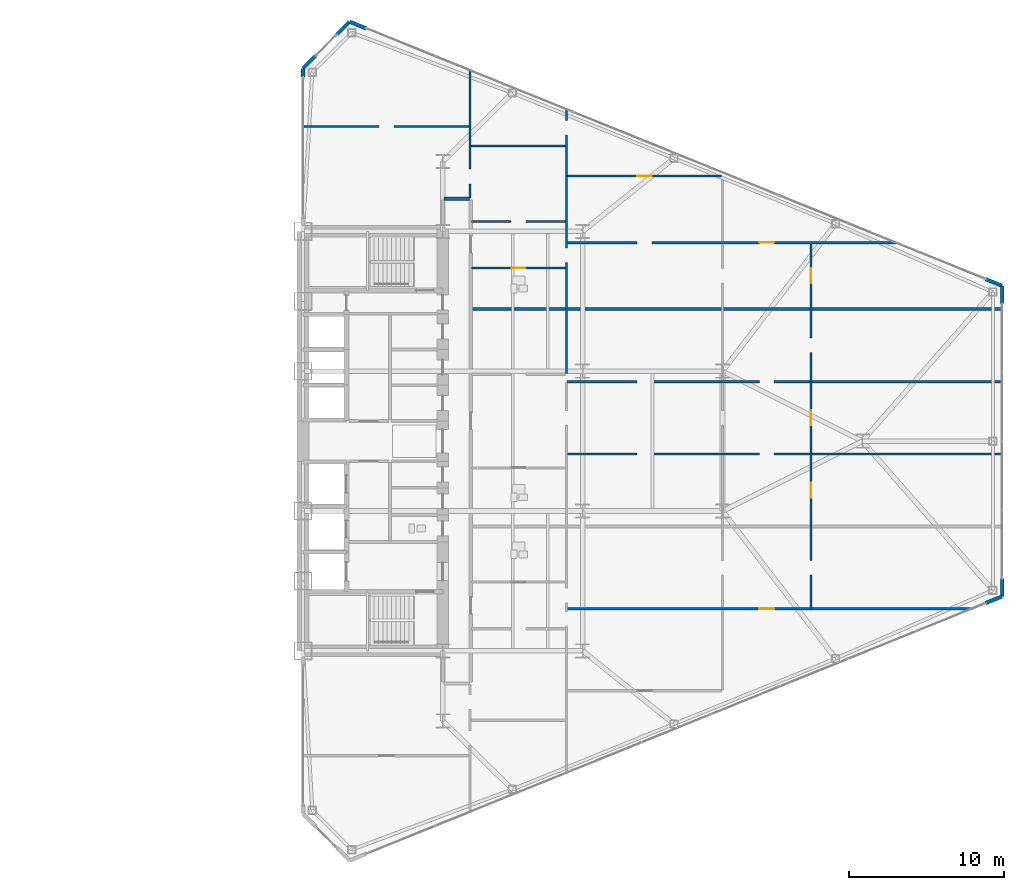
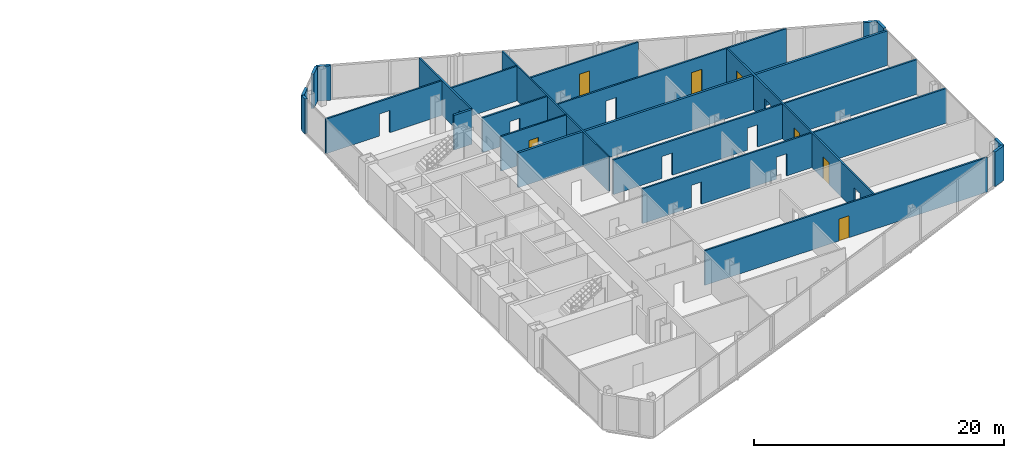
# One storey, part 22 of 25: 22 walls, 7 doors, 19 openings.
"""IFC4 building model written with IfcOpenShell, lengths in metres."""

from ifc_helpers import new_model, si_unit, direction, frame, frame_2d, origin, place, context, subcontext, project, spatial, rectangle, extrude, source, transform, mapped, material, layer, layer_set, type_object, type_shapes, element, fill, save


model = new_model("IFC4")

# Units and contexts
model_context = context("Model", 3, precision=1e-05, world=origin(), true_north=direction((0.0, 1.0)))
body_context = subcontext(model_context, "Body", "Model", "MODEL_VIEW")
ifc_project = project(units=[si_unit("LENGTHUNIT", "METRE"), si_unit("AREAUNIT", "SQUARE_METRE"), si_unit("VOLUMEUNIT", "CUBIC_METRE"), si_unit("PLANEANGLEUNIT", "RADIAN"), si_unit("MASSUNIT", "GRAM", prefix="KILO")], contexts=[model_context])

# Site, building, storey
site_placement = place(None, origin())
site = spatial("IfcSite", under=ifc_project, at=site_placement, CompositionType="ELEMENT")
building_placement = place(site_placement, origin())
building = spatial("IfcBuilding", under=site, at=building_placement, Name="Seokmaru Belvedere", CompositionType="ELEMENT")
storey_placement = place(building_placement, frame((0.0, 0.0, 54.89990234375)))
storey = spatial("IfcBuildingStorey", under=building, at=storey_placement, Name="L14", CompositionType="ELEMENT", Elevation=54.89990234375)

# Wall, opening, door
ifc_material_1 = material(Name="Fire-Rated Gypsum Shaftwall")
ifc_layer_1 = layer(ifc_material_1, 0.14990234375)
ifc_layer_set_1 = layer_set([ifc_layer_1], Name="Fire-Rated Gypsum Shaftwall")
wall_type_1 = type_object("IfcWallType", Name="Apartment Fire-Acoustic Room Partition 150", PredefinedType="PARTITIONING", material=ifc_layer_set_1)
wall_1_placement = place(storey_placement, frame((44.5, -10.780029296875, 0.0), z_axis=(0.0, 0.0, 1.0), x_axis=(1.0, 0.0, 0.0)))
wall_1 = element("IfcWall", 1, at=wall_1_placement, inside=storey, type_object=wall_type_1, Name="L14 Interior Partition 008", PredefinedType="PARTITIONING", context=body_context, shape_type="SweptSolid", body=[
    extrude(rectangle(XDim=26.096923828125, YDim=0.14990234375, at=frame_2d((13.04833984375, 0.0))), origin(), (0.0, 0.0, 1.0), 3.380126953125),
])
opening_1_placement = place(wall_1_placement, frame((12.375, 0.0, 0.0)))
opening_1 = element("IfcOpeningElement", 2, at=opening_1_placement, cuts=wall_1, Name="Opening D05", PredefinedType="OPENING", context=body_context, shape_type="SweptSolid", body=[
    extrude(rectangle(XDim=0.949951171875, YDim=2.14990234375, at=frame_2d((0.47509765625, 1.074951171875))), frame((0.0, 0.0849609375, 0.0), z_axis=(0.0, -1.0, 0.0), x_axis=(1.0, 0.0, 0.0)), (0.0, 0.0, 1.0), 0.169921875),
])
ifc_material_2 = material(Name="Engineered White Oak Timber", Category="wood")
door_type_1 = type_object("IfcDoorType", Name="Apartment Interior Fire-Rated Oak Door 950x2150", OperationType="NOTDEFINED", PredefinedType="DOOR", material=ifc_material_2)
shared_shape_1 = source(origin(), body_context, "Body", "SweptSolid", [
    extrude(rectangle(XDim=0.949951171875, YDim=2.14990234375, at=frame_2d((0.47509765625, 1.074951171875))), frame((0.0, 0.02490234375, 0.0), z_axis=(0.0, -1.0, 0.0), x_axis=(1.0, 0.0, 0.0)), (0.0, 0.0, 1.0), 0.050048828125),
])
type_shapes(door_type_1, [shared_shape_1])
door_1_placement = place(opening_1_placement, origin())
door_1 = element("IfcDoor", 3, at=door_1_placement, inside=storey, type_object=door_type_1, Name="L14 Interior Door 033", OperationType="SINGLE_SWING_RIGHT", OverallHeight=2.14990234375, OverallWidth=0.949951171875, PredefinedType="DOOR", context=body_context, shape_type="MappedRepresentation", body=[
    mapped(shared_shape_1, transform((0.0, 0.0, 0.0), scale=1.0)),
])
fill(opening_1, door_1)

# Wall, openings
wall_2_placement = place(storey_placement, frame((44.5, -0.830078125, 0.0), z_axis=(0.0, 0.0, 1.0), x_axis=(1.0, 0.0, 0.0)))
wall_2 = element("IfcWall", 4, at=wall_2_placement, inside=storey, type_object=wall_type_1, Name="L14 Interior Partition 016", PredefinedType="PARTITIONING", context=body_context, shape_type="SweptSolid", body=[
    extrude(rectangle(XDim=28.034912109375, YDim=0.14990234375, at=frame_2d((14.017578125, 0.0))), origin(), (0.0, 0.0, 1.0), 3.380126953125),
])
opening_2_placement = place(wall_2_placement, frame((4.5, 0.0, 0.0)))
element("IfcOpeningElement", 5, at=opening_2_placement, cuts=wall_2, Name="L14 Cased Opening 044", PredefinedType="OPENING", context=body_context, shape_type="SweptSolid", body=[
    extrude(rectangle(XDim=0.949951171875, YDim=2.14990234375, at=frame_2d((0.47509765625, 1.074951171875))), frame((0.0, 0.0849609375, 0.0), z_axis=(0.0, -1.0, 0.0), x_axis=(1.0, 0.0, 0.0)), (0.0, 0.0, 1.0), 0.169921875),
])
opening_3_placement = place(wall_2_placement, frame((12.375, 0.0, 0.0)))
element("IfcOpeningElement", 6, at=opening_3_placement, cuts=wall_2, Name="L14 Cased Opening 046", PredefinedType="OPENING", context=body_context, shape_type="SweptSolid", body=[
    extrude(rectangle(XDim=0.949951171875, YDim=2.14990234375, at=frame_2d((0.47509765625, 1.074951171875))), frame((0.0, 0.0849609375, 0.0), z_axis=(0.0, -1.0, 0.0), x_axis=(1.0, 0.0, 0.0)), (0.0, 0.0, 1.0), 0.169921875),
])

wall_3_placement = place(storey_placement, frame((44.5, 3.830078125, 0.0), z_axis=(0.0, 0.0, 1.0), x_axis=(1.0, 0.0, 0.0)))
wall_3 = element("IfcWall", 7, at=wall_3_placement, inside=storey, type_object=wall_type_1, Name="L14 Interior Partition 018", PredefinedType="PARTITIONING", context=body_context, shape_type="SweptSolid", body=[
    extrude(rectangle(XDim=28.034912109375, YDim=0.14990234375, at=frame_2d((14.017578125, 0.0))), origin(), (0.0, 0.0, 1.0), 3.380126953125),
])
opening_4_placement = place(wall_3_placement, frame((4.5, 0.0, 0.0)))
element("IfcOpeningElement", 8, at=opening_4_placement, cuts=wall_3, Name="L14 Cased Opening 045", PredefinedType="OPENING", context=body_context, shape_type="SweptSolid", body=[
    extrude(rectangle(XDim=0.949951171875, YDim=2.14990234375, at=frame_2d((0.47509765625, 1.074951171875))), frame((0.0, 0.0849609375, 0.0), z_axis=(0.0, -1.0, 0.0), x_axis=(1.0, 0.0, 0.0)), (0.0, 0.0, 1.0), 0.169921875),
])
opening_5_placement = place(wall_3_placement, frame((12.375, 0.0, 0.0)))
element("IfcOpeningElement", 9, at=opening_5_placement, cuts=wall_3, Name="L14 Cased Opening 049", PredefinedType="OPENING", context=body_context, shape_type="SweptSolid", body=[
    extrude(rectangle(XDim=0.949951171875, YDim=2.14990234375, at=frame_2d((0.47509765625, 1.074951171875))), frame((0.0, 0.0849609375, 0.0), z_axis=(0.0, -1.0, 0.0), x_axis=(1.0, 0.0, 0.0)), (0.0, 0.0, 1.0), 0.169921875),
])

# Wall, openings, door
wall_4_placement = place(storey_placement, frame((44.5, 12.780029296875, 0.0), z_axis=(0.0, 0.0, 1.0), x_axis=(1.0, 0.0, 0.0)))
wall_4 = element("IfcWall", 10, at=wall_4_placement, inside=storey, type_object=wall_type_1, Name="L14 Interior Partition 027", PredefinedType="PARTITIONING", context=body_context, shape_type="SweptSolid", body=[
    extrude(rectangle(XDim=21.156005859375, YDim=0.14990234375, at=frame_2d((10.578125, 0.0))), origin(), (0.0, 0.0, 1.0), 3.380126953125),
])
opening_6_placement = place(wall_4_placement, frame((4.5, 0.0, 0.0)))
element("IfcOpeningElement", 11, at=opening_6_placement, cuts=wall_4, Name="L14 Cased Opening 056", PredefinedType="OPENING", context=body_context, shape_type="SweptSolid", body=[
    extrude(rectangle(XDim=0.949951171875, YDim=2.14990234375, at=frame_2d((0.47509765625, 1.074951171875))), frame((0.0, 0.0849609375, 0.0), z_axis=(0.0, -1.0, 0.0), x_axis=(1.0, 0.0, 0.0)), (0.0, 0.0, 1.0), 0.169921875),
])
opening_7_placement = place(wall_4_placement, frame((12.375, 0.0, 0.0)))
opening_7 = element("IfcOpeningElement", 12, at=opening_7_placement, cuts=wall_4, Name="Opening D05", PredefinedType="OPENING", context=body_context, shape_type="SweptSolid", body=[
    extrude(rectangle(XDim=0.949951171875, YDim=2.14990234375, at=frame_2d((0.47509765625, 1.074951171875))), frame((0.0, 0.0849609375, 0.0), z_axis=(0.0, -1.0, 0.0), x_axis=(1.0, 0.0, 0.0)), (0.0, 0.0, 1.0), 0.169921875),
])
door_2_placement = place(opening_7_placement, origin())
door_2 = element("IfcDoor", 13, at=door_2_placement, inside=storey, type_object=door_type_1, Name="L14 Interior Door 058", OperationType="SINGLE_SWING_LEFT", OverallHeight=2.14990234375, OverallWidth=0.949951171875, PredefinedType="DOOR", context=body_context, shape_type="MappedRepresentation", body=[
    mapped(shared_shape_1, transform((0.0, 0.0, 0.0), scale=1.0)),
])
fill(opening_7, door_2)

# Wall, opening
wall_5_placement = place(storey_placement, frame((38.35009765625, 14.139892578125, 0.0), z_axis=(0.0, 0.0, 1.0), x_axis=(1.0, 0.0, 0.0)))
wall_5 = element("IfcWall", 14, at=wall_5_placement, inside=storey, type_object=wall_type_1, Name="L14 Interior Partition 028", PredefinedType="PARTITIONING", context=body_context, shape_type="SweptSolid", body=[
    extrude(rectangle(XDim=6.0498046875, YDim=0.14990234375, at=frame_2d((3.02490234375, 0.0))), origin(), (0.0, 0.0, 1.0), 3.380126953125),
])
opening_8_placement = place(wall_5_placement, frame((2.550048828125, 0.0, 0.0)))
element("IfcOpeningElement", 15, at=opening_8_placement, cuts=wall_5, Name="L14 Cased Opening 053", PredefinedType="OPENING", context=body_context, shape_type="SweptSolid", body=[
    extrude(rectangle(XDim=0.949951171875, YDim=2.14990234375, at=frame_2d((0.47509765625, 1.074951171875))), frame((0.0, 0.0849609375, 0.0), z_axis=(0.0, -1.0, 0.0), x_axis=(1.0, 0.0, 0.0)), (0.0, 0.0, 1.0), 0.169921875),
])

# Wall, opening, door
wall_6_placement = place(storey_placement, frame((44.5, 17.070068359375, 0.0), z_axis=(0.0, 0.0, 1.0), x_axis=(1.0, 0.0, 0.0)))
wall_6 = element("IfcWall", 16, at=wall_6_placement, inside=storey, type_object=wall_type_1, Name="L14 Interior Partition 031", PredefinedType="PARTITIONING", context=body_context, shape_type="SweptSolid", body=[
    extrude(rectangle(XDim=9.949951171875, YDim=0.14990234375, at=frame_2d((4.97509765625, 0.0))), origin(), (0.0, 0.0, 1.0), 3.380126953125),
])
opening_9_placement = place(wall_6_placement, frame((4.5, 0.0, 0.0)))
opening_9 = element("IfcOpeningElement", 17, at=opening_9_placement, cuts=wall_6, Name="Opening D05", PredefinedType="OPENING", context=body_context, shape_type="SweptSolid", body=[
    extrude(rectangle(XDim=0.949951171875, YDim=2.14990234375, at=frame_2d((0.47509765625, 1.074951171875))), frame((0.0, 0.0849609375, 0.0), z_axis=(0.0, -1.0, 0.0), x_axis=(1.0, 0.0, 0.0)), (0.0, 0.0, 1.0), 0.169921875),
])
door_3_placement = place(opening_9_placement, origin())
door_3 = element("IfcDoor", 18, at=door_3_placement, inside=storey, type_object=door_type_1, Name="L14 Interior Door 059", OperationType="SINGLE_SWING_LEFT", OverallHeight=2.14990234375, OverallWidth=0.949951171875, PredefinedType="DOOR", context=body_context, shape_type="MappedRepresentation", body=[
    mapped(shared_shape_1, transform((0.0, 0.0, 0.0), scale=1.0)),
])
fill(opening_9, door_3)

# Wall
wall_7_placement = place(storey_placement, frame((38.300048828125, 19.0, 0.0), z_axis=(0.0, 0.0, 1.0), x_axis=(1.0, 0.0, 0.0)))
element("IfcWall", 19, at=wall_7_placement, inside=storey, type_object=wall_type_1, Name="L14 Interior Partition 032", PredefinedType="PARTITIONING", context=body_context, shape_type="SweptSolid", body=[
    extrude(rectangle(XDim=6.099853515625, YDim=0.14990234375, at=frame_2d((3.0498046875, 0.0))), origin(), (0.0, 0.0, 1.0), 3.380126953125),
])

# Wall, opening
wall_8_placement = place(storey_placement, frame((27.465087890625, 20.25, 0.0), z_axis=(0.0, 0.0, 1.0), x_axis=(1.0, 0.0, 0.0)))
wall_8 = element("IfcWall", 20, at=wall_8_placement, inside=storey, type_object=wall_type_1, Name="L14 Interior Partition 033", PredefinedType="PARTITIONING", context=body_context, shape_type="SweptSolid", body=[
    extrude(rectangle(XDim=10.73486328125, YDim=0.14990234375, at=frame_2d((5.367431640625, 0.0))), origin(), (0.0, 0.0, 1.0), 3.380126953125),
])
opening_10_placement = place(wall_8_placement, frame((4.93505859375, 0.0, 0.0)))
element("IfcOpeningElement", 21, at=opening_10_placement, cuts=wall_8, Name="L14 Cased Opening 062", PredefinedType="OPENING", context=body_context, shape_type="SweptSolid", body=[
    extrude(rectangle(XDim=0.949951171875, YDim=2.14990234375, at=frame_2d((0.47509765625, 1.074951171875))), frame((0.0, 0.0849609375, 0.0), z_axis=(0.0, -1.0, 0.0), x_axis=(1.0, 0.0, 0.0)), (0.0, 0.0, 1.0), 0.169921875),
])

wall_9_placement = place(storey_placement, frame((38.25, 15.64990234375, 0.0), z_axis=(0.0, 0.0, 1.0), x_axis=(0.0, 1.0, 0.0)))
wall_9 = element("IfcWall", 22, at=wall_9_placement, inside=storey, type_object=wall_type_1, Name="L14 Interior Partition 046", PredefinedType="PARTITIONING", context=body_context, shape_type="SweptSolid", body=[
    extrude(rectangle(XDim=8.248046875, YDim=0.14990234375, at=frame_2d((4.1240234375, 0.0))), origin(), (0.0, 0.0, 1.0), 3.380126953125),
])
opening_11_placement = place(wall_9_placement, frame((0.9072265625, 0.0, 0.0)))
element("IfcOpeningElement", 23, at=opening_11_placement, cuts=wall_9, Name="L14 Cased Opening 061", PredefinedType="OPENING", context=body_context, shape_type="SweptSolid", body=[
    extrude(rectangle(XDim=0.949951171875, YDim=2.14990234375, at=frame_2d((0.47509765625, 1.074951171875))), frame((0.0, 0.0849609375, 0.0), z_axis=(0.0, -1.0, 0.0), x_axis=(1.0, 0.0, 0.0)), (0.0, 0.0, 1.0), 0.169921875),
])

# Wall, openings, doors
wall_10_placement = place(storey_placement, frame((60.199951171875, -10.73388671875, 0.0), z_axis=(0.0, 0.0, 1.0), x_axis=(0.0, 1.0, 0.0)))
wall_10 = element("IfcWall", 24, at=wall_10_placement, inside=storey, type_object=wall_type_1, Name="L14 Interior Partition 051", PredefinedType="PARTITIONING", context=body_context, shape_type="SweptSolid", body=[
    extrude(rectangle(XDim=23.4677734375, YDim=0.14990234375, at=frame_2d((11.73388671875, 0.0))), origin(), (0.0, 0.0, 1.0), 3.380126953125),
])
opening_12_placement = place(wall_10_placement, frame((2.11669921875, 0.0, 0.0)))
element("IfcOpeningElement", 25, at=opening_12_placement, cuts=wall_10, Name="L14 Cased Opening 034", PredefinedType="OPENING", context=body_context, shape_type="SweptSolid", body=[
    extrude(rectangle(XDim=0.949951171875, YDim=2.14990234375, at=frame_2d((0.47509765625, 1.074951171875))), frame((0.0, 0.0849609375, 0.0), z_axis=(0.0, -1.0, 0.0), x_axis=(1.0, 0.0, 0.0)), (0.0, 0.0, 1.0), 0.169921875),
])
opening_13_placement = place(wall_10_placement, frame((7.09228515625, 0.0, 0.0)))
opening_13 = element("IfcOpeningElement", 26, at=opening_13_placement, cuts=wall_10, Name="Opening D05", PredefinedType="OPENING", context=body_context, shape_type="SweptSolid", body=[
    extrude(rectangle(XDim=0.949951171875, YDim=2.14990234375, at=frame_2d((0.47509765625, 1.074951171875))), frame((0.0, 0.0849609375, 0.0), z_axis=(0.0, -1.0, 0.0), x_axis=(1.0, 0.0, 0.0)), (0.0, 0.0, 1.0), 0.169921875),
])
opening_14_placement = place(wall_10_placement, frame((11.759033203125, 0.0, 0.0)))
opening_14 = element("IfcOpeningElement", 27, at=opening_14_placement, cuts=wall_10, Name="Opening D05", PredefinedType="OPENING", context=body_context, shape_type="SweptSolid", body=[
    extrude(rectangle(XDim=0.949951171875, YDim=2.14990234375, at=frame_2d((0.47509765625, 1.074951171875))), frame((0.0, 0.0849609375, 0.0), z_axis=(0.0, -1.0, 0.0), x_axis=(1.0, 0.0, 0.0)), (0.0, 0.0, 1.0), 0.169921875),
])
opening_15_placement = place(wall_10_placement, frame((16.425537109375, 0.0, 0.0)))
element("IfcOpeningElement", 28, at=opening_15_placement, cuts=wall_10, Name="L14 Cased Opening 050", PredefinedType="OPENING", context=body_context, shape_type="SweptSolid", body=[
    extrude(rectangle(XDim=0.949951171875, YDim=2.14990234375, at=frame_2d((0.47509765625, 1.074951171875))), frame((0.0, 0.0849609375, 0.0), z_axis=(0.0, -1.0, 0.0), x_axis=(1.0, 0.0, 0.0)), (0.0, 0.0, 1.0), 0.169921875),
])
opening_16_placement = place(wall_10_placement, frame((20.901123046875, 0.0, 0.0)))
opening_16 = element("IfcOpeningElement", 29, at=opening_16_placement, cuts=wall_10, Name="Opening D05", PredefinedType="OPENING", context=body_context, shape_type="SweptSolid", body=[
    extrude(rectangle(XDim=0.949951171875, YDim=2.14990234375, at=frame_2d((0.47509765625, 1.074951171875))), frame((0.0, 0.0849609375, 0.0), z_axis=(0.0, -1.0, 0.0), x_axis=(1.0, 0.0, 0.0)), (0.0, 0.0, 1.0), 0.169921875),
])
door_4_placement = place(opening_13_placement, origin())
door_4 = element("IfcDoor", 30, at=door_4_placement, inside=storey, type_object=door_type_1, Name="L14 Interior Door 047", OperationType="SINGLE_SWING_LEFT", OverallHeight=2.14990234375, OverallWidth=0.949951171875, PredefinedType="DOOR", context=body_context, shape_type="MappedRepresentation", body=[
    mapped(shared_shape_1, transform((0.0, 0.0, 0.0), scale=1.0)),
])
fill(opening_13, door_4)
door_5_placement = place(opening_14_placement, origin())
door_5 = element("IfcDoor", 31, at=door_5_placement, inside=storey, type_object=door_type_1, Name="L14 Interior Door 048", OperationType="SINGLE_SWING_LEFT", OverallHeight=2.14990234375, OverallWidth=0.949951171875, PredefinedType="DOOR", context=body_context, shape_type="MappedRepresentation", body=[
    mapped(shared_shape_1, transform((0.0, 0.0, 0.0), scale=1.0)),
])
fill(opening_14, door_5)
door_6_placement = place(opening_16_placement, origin())
door_6 = element("IfcDoor", 32, at=door_6_placement, inside=storey, type_object=door_type_1, Name="L14 Interior Door 057", OperationType="SINGLE_SWING_LEFT", OverallHeight=2.14990234375, OverallWidth=0.949951171875, PredefinedType="DOOR", context=body_context, shape_type="MappedRepresentation", body=[
    mapped(shared_shape_1, transform((0.0, 0.0, 0.0), scale=1.0)),
])
fill(opening_16, door_6)

# Walls
ifc_layer_2 = layer(ifc_material_1, 0.199951171875)
ifc_layer_set_2 = layer_set([ifc_layer_2], Name="Fire-Rated Gypsum Shaftwall")
wall_type_2 = type_object("IfcWallType", Name="Inter-Tenancy Fire Compartment Partition 200", PredefinedType="PARTITIONING", material=ifc_layer_set_2)
wall_11_placement = place(storey_placement, frame((38.3798828125, 8.5, 0.0), z_axis=(0.0, 0.0, 1.0), x_axis=(1.0, 0.0, 0.0)))
element("IfcWall", 33, at=wall_11_placement, inside=storey, type_object=wall_type_2, Name="L14 Interior Partition 022", PredefinedType="PARTITIONING", context=body_context, shape_type="SweptSolid", body=[
    extrude(rectangle(XDim=34.125, YDim=0.199951171875, at=frame_2d((17.0625, 0.0))), origin(), (0.0, 0.0, 1.0), 3.380126953125),
])
wall_12_placement = place(storey_placement, frame((36.5849609375, 15.60009765625, 0.0), z_axis=(0.0, 0.0, 1.0), x_axis=(1.0, 0.0, 0.0)))
element("IfcWall", 34, at=wall_12_placement, inside=storey, type_object=wall_type_2, Name="L14 Interior Partition 030", PredefinedType="PARTITIONING", context=body_context, shape_type="SweptSolid", body=[
    extrude(rectangle(XDim=1.630126953125, YDim=0.199951171875, at=frame_2d((0.81494140625, 0.0))), origin(), (0.0, 0.0, 1.0), 3.380126953125),
])

# Wall, opening, door
ifc_layer_3 = layer(ifc_material_1, 0.1298828125)
ifc_layer_set_3 = layer_set([ifc_layer_3], Name="Fire-Rated Gypsum Shaftwall")
wall_type_3 = type_object("IfcWallType", Name="Moisture-Resistant Fire-Rated Bathroom Partition 130", PredefinedType="PARTITIONING", material=ifc_layer_set_3)
wall_13_placement = place(storey_placement, frame((38.35009765625, 11.139892578125, 0.0), z_axis=(0.0, 0.0, 1.0), x_axis=(1.0, 0.0, 0.0)))
wall_13 = element("IfcWall", 35, at=wall_13_placement, inside=storey, type_object=wall_type_3, Name="L14 Interior Partition 025", PredefinedType="PARTITIONING", context=body_context, shape_type="SweptSolid", body=[
    extrude(rectangle(XDim=6.0498046875, YDim=0.1298828125, at=frame_2d((3.02490234375, 0.0))), origin(), (0.0, 0.0, 1.0), 3.380126953125),
])
opening_17_placement = place(wall_13_placement, frame((2.5849609375, 0.0, 0.0)))
opening_17 = element("IfcOpeningElement", 36, at=opening_17_placement, cuts=wall_13, Name="Opening D06", PredefinedType="OPENING", context=body_context, shape_type="SweptSolid", body=[
    extrude(rectangle(XDim=0.8798828125, YDim=2.10009765625, at=frame_2d((0.43994140625, 1.050048828125))), frame((0.0, 0.074951171875, 0.0), z_axis=(0.0, -1.0, 0.0), x_axis=(1.0, 0.0, 0.0)), (0.0, 0.0, 1.0), 0.14990234375),
])
door_type_2 = type_object("IfcDoorType", Name="Bathroom and Restroom Fire-Rated Door 880x2100", OperationType="NOTDEFINED", PredefinedType="DOOR", material=ifc_material_2)
shared_shape_2 = source(origin(), body_context, "Body", "SweptSolid", [
    extrude(rectangle(XDim=0.8798828125, YDim=2.10009765625, at=frame_2d((0.43994140625, 1.050048828125))), frame((0.0, 0.02490234375, 0.0), z_axis=(0.0, -1.0, 0.0), x_axis=(1.0, 0.0, 0.0)), (0.0, 0.0, 1.0), 0.050048828125),
])
type_shapes(door_type_2, [shared_shape_2])
door_7_placement = place(opening_17_placement, origin())
door_7 = element("IfcDoor", 37, at=door_7_placement, inside=storey, type_object=door_type_2, Name="L14 Interior Door 052", OperationType="SINGLE_SWING_RIGHT", OverallHeight=2.10009765625, OverallWidth=0.8798828125, PredefinedType="DOOR", context=body_context, shape_type="MappedRepresentation", body=[
    mapped(shared_shape_2, transform((0.0, 0.0, 0.0), scale=1.0)),
])
fill(opening_17, door_7)

# Wall, openings
wall_14_placement = place(storey_placement, frame((44.449951171875, 4.35205078125, 0.0), z_axis=(0.0, 0.0, 1.0), x_axis=(0.0, 1.0, 0.0)))
wall_14 = element("IfcWall", 38, at=wall_14_placement, inside=storey, type_object=wall_type_3, Name="L14 Interior Partition 049", PredefinedType="PARTITIONING", context=body_context, shape_type="SweptSolid", body=[
    extrude(rectangle(XDim=17.036865234375, YDim=0.1298828125, at=frame_2d((8.5185546875, 0.0))), origin(), (0.0, 0.0, 1.0), 3.380126953125),
])
opening_18_placement = place(wall_14_placement, frame((7.1376953125, 0.0, 0.0)))
element("IfcOpeningElement", 39, at=opening_18_placement, cuts=wall_14, Name="L14 Cased Opening 054", PredefinedType="OPENING", context=body_context, shape_type="SweptSolid", body=[
    extrude(rectangle(XDim=0.949951171875, YDim=2.14990234375, at=frame_2d((0.47509765625, 1.074951171875))), frame((0.0, 0.074951171875, 0.0), z_axis=(0.0, -1.0, 0.0), x_axis=(1.0, 0.0, 0.0)), (0.0, 0.0, 1.0), 0.14990234375),
])
opening_19_placement = place(wall_14_placement, frame((15.351806640625, 0.0, 0.0)))
element("IfcOpeningElement", 40, at=opening_19_placement, cuts=wall_14, Name="L14 Cased Opening 060", PredefinedType="OPENING", context=body_context, shape_type="SweptSolid", body=[
    extrude(rectangle(XDim=0.949951171875, YDim=2.14990234375, at=frame_2d((0.47509765625, 1.074951171875))), frame((0.0, 0.074951171875, 0.0), z_axis=(0.0, -1.0, 0.0), x_axis=(1.0, 0.0, 0.0)), (0.0, 0.0, 1.0), 0.14990234375),
])

# Walls
ifc_material_3 = material(Name="Anodised Bronze Aluminium", Category="aluminium")
ifc_layer_4 = layer(ifc_material_3, 0.239990234375)
ifc_layer_set_4 = layer_set([ifc_layer_4], Name="Anodised Bronze Aluminium")
wall_type_4 = type_object("IfcWallType", Name="Tower Corner Spandrel Closure Wall 240", PredefinedType="SOLIDWALL", material=ifc_layer_set_4)
for number, where, z_axis, x_axis, name in (
    (41, (71.43408203125, -10.431396484375, 0.0), (0.0, 0.0, 1.0), (0.927007103665, 0.375043770452, 0.0), "L14 E Corner Closure Pier 1B"),
    (42, (72.5, -9.989990234375, 0.0), (0.0, 0.0, 1.0), (0.0, 1.0, 0.0), "L14 E Corner Closure Pier 2A"),
    (43, (72.5, 8.85009765625, 0.0), (0.0, 0.0, 1.0), (0.0, 1.0, 0.0), "L14 E Corner Closure Pier 2B"),
    (44, (72.49072265625, 10.00390625, 0.0), (0.0, 0.0, 1.0), (-0.927007103665, 0.375043770452, 0.0), "L14 E Corner Closure Pier 3A"),
    (45, (31.56591796875, 26.568603515625, 0.0), (0.0, 0.0, 1.0), (-0.927007103665, 0.375043770452, 0.0), "L14 E Corner Closure Pier 3B"),
):
    element("IfcWall", number, at=place(storey_placement, frame(where, z_axis=z_axis, x_axis=x_axis)), inside=storey, type_object=wall_type_4, Name=name, PredefinedType="SOLIDWALL", context=body_context, shape_type="SweptSolid", body=[
        extrude(rectangle(XDim=1.139892578125, YDim=0.239990234375, at=frame_2d((0.56982421875, 0.0))), origin(), (0.0, 0.0, 1.0), 3.380126953125),
    ])
for number, where, z_axis, x_axis, name in (
    (46, (30.492919921875, 26.992919921875, 0.0), (0.0, 0.0, 1.0), (-0.707106781187, -0.707106781187, 0.0), "L14 E Corner Closure Pier 4A"),
    (47, (28.313232421875, 24.813232421875, 0.0), (0.0, 0.0, 1.0), (-0.707106781187, -0.707106781187, 0.0), "L14 E Corner Closure Pier 4B"),
):
    element("IfcWall", number, at=place(storey_placement, frame(where, z_axis=z_axis, x_axis=x_axis)), inside=storey, type_object=wall_type_4, Name=name, PredefinedType="SOLIDWALL", context=body_context, shape_type="SweptSolid", body=[
        extrude(rectangle(XDim=1.14013671875, YDim=0.239990234375, at=frame_2d((0.570068359375, 0.0))), origin(), (0.0, 0.0, 1.0), 3.380126953125),
    ])
wall_15_placement = place(storey_placement, frame((27.5, 23.429931640625, 0.0), z_axis=(0.0, 0.0, 1.0), x_axis=(0.0, 1.0, 0.0)))
element("IfcWall", 48, at=wall_15_placement, inside=storey, type_object=wall_type_4, Name="L14 E Spine Closure Pier 2B", PredefinedType="SOLIDWALL", context=body_context, shape_type="SweptSolid", body=[
    extrude(rectangle(XDim=0.550048828125, YDim=0.239990234375, at=frame_2d((0.27490234375, 0.0))), origin(), (0.0, 0.0, 1.0), 3.380126953125),
])

save(model, "model.ifc")
